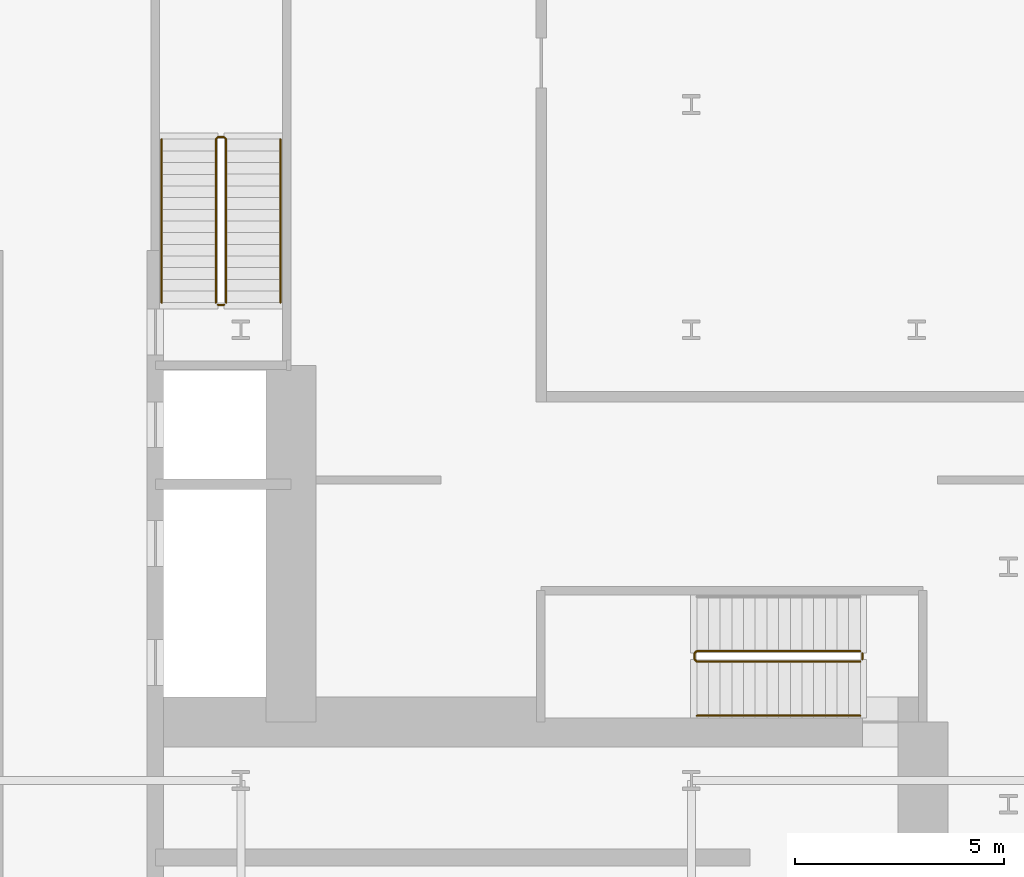
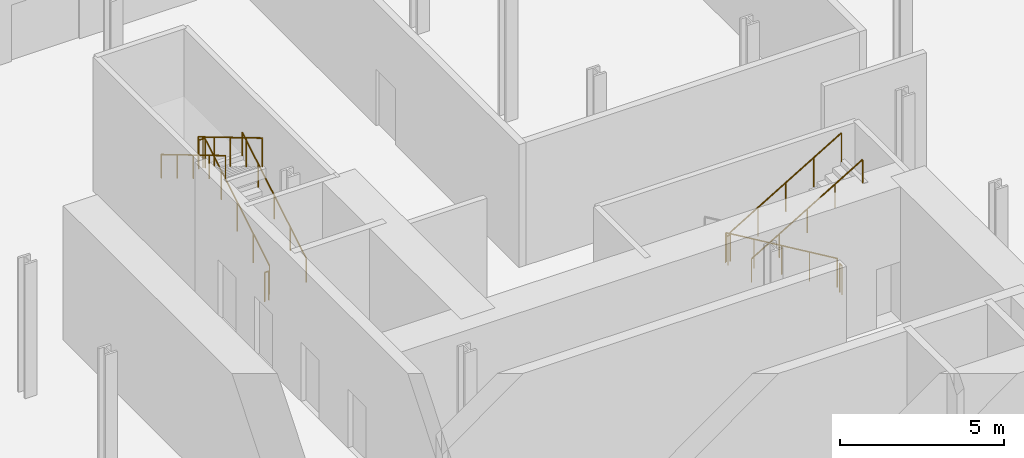
# One storey, part 16 of 19: 7 railings.
"""IFC4 building model written with IfcOpenShell, lengths in metres."""

from ifc_helpers import new_model, si_unit, direction, frame, origin, origin_2d, place, context, subcontext, project, spatial, circle, extrude, material, type_object, element, save


model = new_model("IFC4")

# Units and contexts
model_context = context("Model", 3, precision=1e-05, world=origin(), true_north=direction((0.0, 1.0)))
body_context = subcontext(model_context, "Body", "Model", "MODEL_VIEW")
ifc_project = project(units=[si_unit("LENGTHUNIT", "METRE"), si_unit("AREAUNIT", "SQUARE_METRE"), si_unit("VOLUMEUNIT", "CUBIC_METRE"), si_unit("PLANEANGLEUNIT", "RADIAN"), si_unit("MASSUNIT", "GRAM", prefix="KILO")], contexts=[model_context])

# Site, building, storey
site_placement = place(None, origin())
site = spatial("IfcSite", under=ifc_project, at=site_placement, CompositionType="ELEMENT")
building_placement = place(site_placement, origin())
building = spatial("IfcBuilding", under=site, at=building_placement, Name="Kheshtan School and Residences Tower", CompositionType="ELEMENT")
storey_placement = place(building_placement, frame((0.0, 0.0, -10.0)))
storey = spatial("IfcBuildingStorey", under=building, at=storey_placement, Name="B2", CompositionType="ELEMENT", Elevation=-10.0)

# Railings
ifc_material_1 = material(Name="Stainless steel balustrade", Category="steel")
railing_type_1 = type_object("IfcRailingType", Name="Stair guard 1100", PredefinedType="GUARDRAIL", material=ifc_material_1)
railing_1_placement = place(storey_placement, frame((51.64990234375, 37.89990234375, 0.166748046875)))
element("IfcRailing", 1, at=railing_1_placement, inside=storey, type_object=railing_type_1, Name="B2 ST1 stair guard 1", PredefinedType="GUARDRAIL", context=body_context, shape_type="SweptSolid", body=[
    extrude(circle(Radius=0.02392578125, at=origin_2d()), frame((0.0, 0.0, 1.076171875), z_axis=(-0.859296244711, 0.0, 0.511478214419), x_axis=(0.0, -1.0, 0.0)), (0.0, 0.0, 1.0), 4.561767578125),
    extrude(circle(Radius=0.02392578125, at=origin_2d()), frame((-3.919921875, 0.0, 3.4091796875), z_axis=(-0.708833529934, -0.705375805398, 0.0), x_axis=(0.705375805398, -0.708833529934, 0.0)), (0.0, 0.0, 1.0), 0.070556640625),
    extrude(circle(Radius=0.02392578125, at=origin_2d()), frame((-3.969970703125, -0.0498046875, 3.4091796875), z_axis=(0.0, -1.0, 0.0), x_axis=(1.0, 0.0, 0.0)), (0.0, 0.0, 1.0), 0.150146484375),
    extrude(circle(Radius=0.02392578125, at=origin_2d()), frame((-3.969970703125, -0.199951171875, 3.4091796875), z_axis=(0.27628659633, -0.27628659633, 0.920506074601), x_axis=(0.707106781187, 0.707106781187, 0.0)), (0.0, 0.0, 1.0), 0.18115234375),
    extrude(circle(Radius=0.02392578125, at=origin_2d()), frame((-3.919921875, -0.25, 3.576171875), z_axis=(0.859296244711, 0.0, 0.511478214419), x_axis=(0.0, 1.0, 0.0)), (0.0, 0.0, 1.0), 4.561767578125),
    extrude(circle(Radius=0.02099609375, at=origin_2d()), origin(), (0.0, 0.0, 1.0), 1.052001953125),
    extrude(circle(Radius=0.02099609375, at=origin_2d()), frame((-0.97998046875, 0.0, 0.583251953125)), (0.0, 0.0, 1.0), 1.052001953125),
    extrude(circle(Radius=0.02099609375, at=origin_2d()), frame((-1.9599609375, 0.0, 1.16650390625)), (0.0, 0.0, 1.0), 1.052001953125),
    extrude(circle(Radius=0.02099609375, at=origin_2d()), frame((-2.93994140625, 0.0, 1.75)), (0.0, 0.0, 1.0), 1.052001953125),
    extrude(circle(Radius=0.02099609375, at=origin_2d()), frame((-3.919921875, 0.0, 2.333251953125)), (0.0, 0.0, 1.0), 1.052001953125),
    extrude(circle(Radius=0.02099609375, at=origin_2d()), frame((-3.969970703125, -0.0498046875, 2.333251953125)), (0.0, 0.0, 1.0), 1.052001953125),
    extrude(circle(Radius=0.02099609375, at=origin_2d()), frame((-3.969970703125, -0.199951171875, 2.333251953125)), (0.0, 0.0, 1.0), 1.052001953125),
    extrude(circle(Radius=0.02099609375, at=origin_2d()), frame((-3.919921875, -0.25, 2.5)), (0.0, 0.0, 1.0), 1.052001953125),
    extrude(circle(Radius=0.02099609375, at=origin_2d()), frame((-2.93994140625, -0.25, 3.083251953125)), (0.0, 0.0, 1.0), 1.052001953125),
    extrude(circle(Radius=0.02099609375, at=origin_2d()), frame((-1.9599609375, -0.25, 3.66650390625)), (0.0, 0.0, 1.0), 1.052001953125),
    extrude(circle(Radius=0.02099609375, at=origin_2d()), frame((-0.97998046875, -0.25, 4.25)), (0.0, 0.0, 1.0), 1.052001953125),
    extrude(circle(Radius=0.02099609375, at=origin_2d()), frame((0.0, -0.25, 4.833251953125)), (0.0, 0.0, 1.0), 1.052001953125),
])
railing_2_placement = place(storey_placement, frame((51.699951171875, 37.85009765625, 0.0)))
element("IfcRailing", 2, at=railing_2_placement, inside=storey, type_object=railing_type_1, Name="B2 ST1 stair guard 2", PredefinedType="GUARDRAIL", context=body_context, shape_type="SweptSolid", body=[
    extrude(circle(Radius=0.02392578125, at=origin_2d()), frame((0.0, 0.0, 1.076171875), z_axis=(0.0, -1.0, 0.0), x_axis=(1.0, 0.0, 0.0)), (0.0, 0.0, 1.0), 0.150146484375),
    extrude(circle(Radius=0.02099609375, at=origin_2d()), origin(), (0.0, 0.0, 1.0), 1.052001953125),
    extrude(circle(Radius=0.02099609375, at=origin_2d()), frame((0.0, -0.150146484375, 0.0)), (0.0, 0.0, 1.0), 1.052001953125),
])
railing_3_placement = place(storey_placement, frame((36.449951171875, 46.25, 0.166748046875)))
element("IfcRailing", 3, at=railing_3_placement, inside=storey, type_object=railing_type_1, Name="B2 ST2 stair guard 1", PredefinedType="GUARDRAIL", context=body_context, shape_type="SweptSolid", body=[
    extrude(circle(Radius=0.02392578125, at=origin_2d()), frame((0.0, 0.0, 1.076171875), z_axis=(0.0, 0.859296244711, 0.511478214419), x_axis=(-1.0, 0.0, 0.0)), (0.0, 0.0, 1.0), 4.561767578125),
    extrude(circle(Radius=0.02392578125, at=origin_2d()), frame((0.0, 3.919921875, 3.4091796875), z_axis=(-0.707106781187, 0.707106781187, 0.0), x_axis=(-0.707106781187, -0.707106781187, 0.0)), (0.0, 0.0, 1.0), 0.07080078125),
    extrude(circle(Radius=0.02392578125, at=origin_2d()), frame((-0.050048828125, 3.969970703125, 3.4091796875), z_axis=(-1.0, 0.0, 0.0), x_axis=(0.0, -1.0, 0.0)), (0.0, 0.0, 1.0), 0.14990234375),
    extrude(circle(Radius=0.02392578125, at=origin_2d()), frame((-0.199951171875, 3.969970703125, 3.4091796875), z_axis=(-0.27628659633, -0.27628659633, 0.920506074601), x_axis=(0.707106781187, -0.707106781187, 0.0)), (0.0, 0.0, 1.0), 0.18115234375),
    extrude(circle(Radius=0.02392578125, at=origin_2d()), frame((-0.25, 3.919921875, 3.576171875), z_axis=(0.0, -0.859296244711, 0.511478214419), x_axis=(1.0, 0.0, 0.0)), (0.0, 0.0, 1.0), 4.561767578125),
    extrude(circle(Radius=0.02099609375, at=origin_2d()), origin(), (0.0, 0.0, 1.0), 1.052001953125),
    extrude(circle(Radius=0.02099609375, at=origin_2d()), frame((0.0, 0.97998046875, 0.583251953125)), (0.0, 0.0, 1.0), 1.052001953125),
    extrude(circle(Radius=0.02099609375, at=origin_2d()), frame((0.0, 1.9599609375, 1.16650390625)), (0.0, 0.0, 1.0), 1.052001953125),
    extrude(circle(Radius=0.02099609375, at=origin_2d()), frame((0.0, 2.93994140625, 1.75)), (0.0, 0.0, 1.0), 1.052001953125),
    extrude(circle(Radius=0.02099609375, at=origin_2d()), frame((0.0, 3.919921875, 2.333251953125)), (0.0, 0.0, 1.0), 1.052001953125),
    extrude(circle(Radius=0.02099609375, at=origin_2d()), frame((-0.050048828125, 3.969970703125, 2.333251953125)), (0.0, 0.0, 1.0), 1.052001953125),
    extrude(circle(Radius=0.02099609375, at=origin_2d()), frame((-0.199951171875, 3.969970703125, 2.333251953125)), (0.0, 0.0, 1.0), 1.052001953125),
    extrude(circle(Radius=0.02099609375, at=origin_2d()), frame((-0.25, 3.919921875, 2.5)), (0.0, 0.0, 1.0), 1.052001953125),
    extrude(circle(Radius=0.02099609375, at=origin_2d()), frame((-0.25, 2.93994140625, 3.083251953125)), (0.0, 0.0, 1.0), 1.052001953125),
    extrude(circle(Radius=0.02099609375, at=origin_2d()), frame((-0.25, 1.9599609375, 3.66650390625)), (0.0, 0.0, 1.0), 1.052001953125),
    extrude(circle(Radius=0.02099609375, at=origin_2d()), frame((-0.25, 0.97998046875, 4.25)), (0.0, 0.0, 1.0), 1.052001953125),
    extrude(circle(Radius=0.02099609375, at=origin_2d()), frame((-0.25, 0.0, 4.833251953125)), (0.0, 0.0, 1.0), 1.052001953125),
])
railing_4_placement = place(storey_placement, frame((36.39990234375, 46.199951171875, 0.0)))
element("IfcRailing", 4, at=railing_4_placement, inside=storey, type_object=railing_type_1, Name="B2 ST2 stair guard 2", PredefinedType="GUARDRAIL", context=body_context, shape_type="SweptSolid", body=[
    extrude(circle(Radius=0.02392578125, at=origin_2d()), frame((0.0, 0.0, 1.076171875), z_axis=(-1.0, 0.0, 0.0), x_axis=(0.0, -1.0, 0.0)), (0.0, 0.0, 1.0), 0.14990234375),
    extrude(circle(Radius=0.02099609375, at=origin_2d()), origin(), (0.0, 0.0, 1.0), 1.052001953125),
    extrude(circle(Radius=0.02099609375, at=origin_2d()), frame((-0.14990234375, 0.0, 0.0)), (0.0, 0.0, 1.0), 1.052001953125),
])
ifc_material_2 = material(Name="Stainless steel handrail", Category="steel")
railing_type_2 = type_object("IfcRailingType", Name="Stair handrail 900", PredefinedType="HANDRAIL", material=ifc_material_2)
railing_5_placement = place(storey_placement, frame((47.72998046875, 36.35009765625, 2.666748046875)))
element("IfcRailing", 5, at=railing_5_placement, inside=storey, type_object=railing_type_2, Name="B2 ST1 stair handrail 2", PredefinedType="HANDRAIL", context=body_context, shape_type="SweptSolid", body=[
    extrude(circle(Radius=0.02392578125, at=origin_2d()), frame((0.0, 0.0, 0.8759765625), z_axis=(0.859296244711, 0.0, 0.511478214419), x_axis=(0.0, 1.0, 0.0)), (0.0, 0.0, 1.0), 4.561767578125),
    extrude(circle(Radius=0.02099609375, at=origin_2d()), origin(), (0.0, 0.0, 1.0), 0.851806640625),
    extrude(circle(Radius=0.02099609375, at=origin_2d()), frame((0.97998046875, 0.0, 0.583251953125)), (0.0, 0.0, 1.0), 0.851806640625),
    extrude(circle(Radius=0.02099609375, at=origin_2d()), frame((1.9599609375, 0.0, 1.16650390625)), (0.0, 0.0, 1.0), 0.851806640625),
    extrude(circle(Radius=0.02099609375, at=origin_2d()), frame((2.93994140625, 0.0, 1.75)), (0.0, 0.0, 1.0), 0.851806640625),
    extrude(circle(Radius=0.02099609375, at=origin_2d()), frame((3.919921875, 0.0, 2.333251953125)), (0.0, 0.0, 1.0), 0.851806640625),
])
railing_6_placement = place(storey_placement, frame((37.75, 46.25, 0.166748046875)))
element("IfcRailing", 6, at=railing_6_placement, inside=storey, type_object=railing_type_2, Name="B2 ST2 stair handrail 1", PredefinedType="HANDRAIL", context=body_context, shape_type="SweptSolid", body=[
    extrude(circle(Radius=0.02392578125, at=origin_2d()), frame((0.0, 0.0, 0.8759765625), z_axis=(0.0, 0.859296244711, 0.511478214419), x_axis=(-1.0, 0.0, 0.0)), (0.0, 0.0, 1.0), 4.561767578125),
    extrude(circle(Radius=0.02099609375, at=origin_2d()), origin(), (0.0, 0.0, 1.0), 0.851806640625),
    extrude(circle(Radius=0.02099609375, at=origin_2d()), frame((0.0, 0.97998046875, 0.583251953125)), (0.0, 0.0, 1.0), 0.851806640625),
    extrude(circle(Radius=0.02099609375, at=origin_2d()), frame((0.0, 1.9599609375, 1.16650390625)), (0.0, 0.0, 1.0), 0.851806640625),
    extrude(circle(Radius=0.02099609375, at=origin_2d()), frame((0.0, 2.93994140625, 1.75)), (0.0, 0.0, 1.0), 0.851806640625),
    extrude(circle(Radius=0.02099609375, at=origin_2d()), frame((0.0, 3.919921875, 2.333251953125)), (0.0, 0.0, 1.0), 0.851806640625),
])
railing_7_placement = place(storey_placement, frame((34.89990234375, 50.169921875, 2.666748046875)))
element("IfcRailing", 7, at=railing_7_placement, inside=storey, type_object=railing_type_2, Name="B2 ST2 stair handrail 2", PredefinedType="HANDRAIL", context=body_context, shape_type="SweptSolid", body=[
    extrude(circle(Radius=0.02392578125, at=origin_2d()), frame((0.0, 0.0, 0.8759765625), z_axis=(0.0, -0.859296244711, 0.511478214419), x_axis=(1.0, 0.0, 0.0)), (0.0, 0.0, 1.0), 4.561767578125),
    extrude(circle(Radius=0.02099609375, at=origin_2d()), origin(), (0.0, 0.0, 1.0), 0.851806640625),
    extrude(circle(Radius=0.02099609375, at=origin_2d()), frame((0.0, -0.97998046875, 0.583251953125)), (0.0, 0.0, 1.0), 0.851806640625),
    extrude(circle(Radius=0.02099609375, at=origin_2d()), frame((0.0, -1.9599609375, 1.16650390625)), (0.0, 0.0, 1.0), 0.851806640625),
    extrude(circle(Radius=0.02099609375, at=origin_2d()), frame((0.0, -2.93994140625, 1.75)), (0.0, 0.0, 1.0), 0.851806640625),
    extrude(circle(Radius=0.02099609375, at=origin_2d()), frame((0.0, -3.919921875, 2.333251953125)), (0.0, 0.0, 1.0), 0.851806640625),
])

save(model, "model.ifc")
